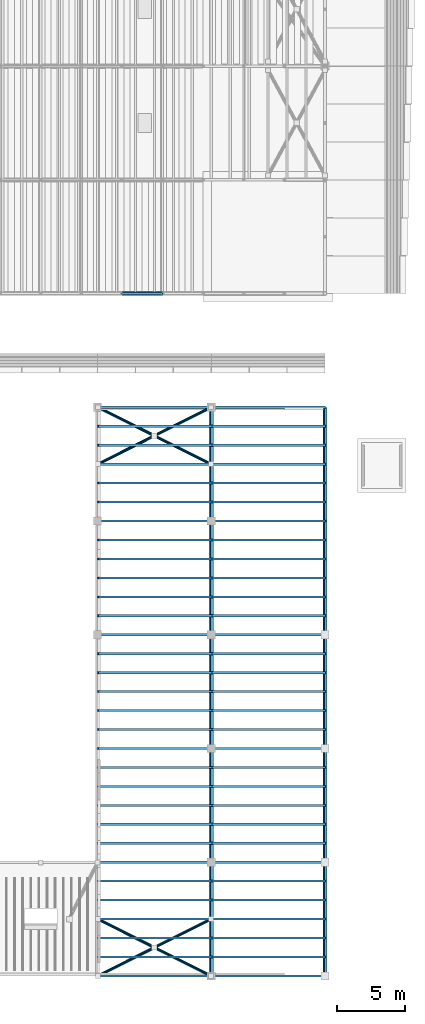
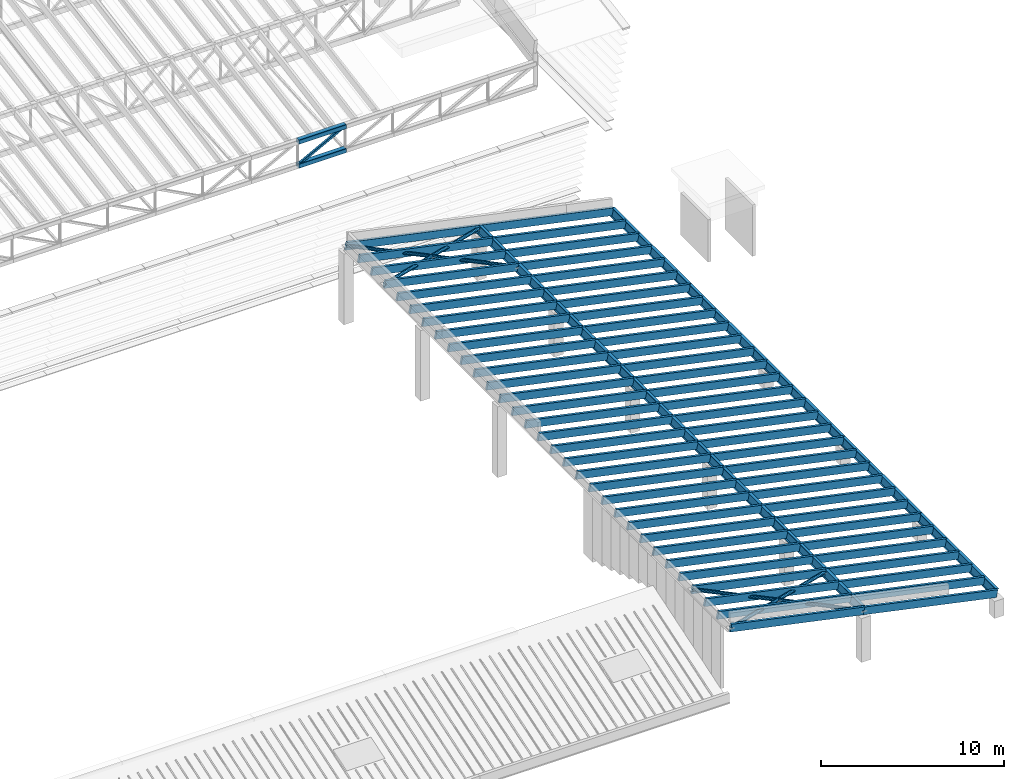
# One storey, part 46 of 91: 71 members, 10 beams.
"""IFC4 building model written with IfcOpenShell, lengths in metres."""

from ifc_helpers import new_model, si_unit, direction, frame, origin, origin_2d, place, context, subcontext, project, spatial, rectangle, hollow_rectangle, hollow_circle, i_section, extrude, material, material_profile, profile_set, type_object, element, save


model = new_model("IFC4")

# Units and contexts
model_context = context("Model", 3, precision=1e-05, world=origin(), true_north=direction((0.0, 1.0)))
body_context = subcontext(model_context, "Body", "Model", "MODEL_VIEW")
ifc_project = project(units=[si_unit("LENGTHUNIT", "METRE"), si_unit("AREAUNIT", "SQUARE_METRE"), si_unit("VOLUMEUNIT", "CUBIC_METRE"), si_unit("PLANEANGLEUNIT", "RADIAN"), si_unit("MASSUNIT", "GRAM", prefix="KILO")], contexts=[model_context])

# Site, building, storey
site_placement = place(None, origin())
site = spatial("IfcSite", under=ifc_project, at=site_placement, CompositionType="ELEMENT")
building_placement = place(site_placement, origin())
building = spatial("IfcBuilding", under=site, at=building_placement, Name="Almond Square Museum", CompositionType="ELEMENT")
storey_placement = place(building_placement, frame((0.0, 0.0, 30.0)))
storey = spatial("IfcBuildingStorey", under=building, at=storey_placement, Name="L05", CompositionType="ELEMENT", Elevation=30.0)

# Members
ifc_material_1 = material(Name="Glulam GL28h", Category="wood")
ifc_material_profile_1 = material_profile(ifc_material_1, rectangle(XDim=0.159912109375, YDim=0.5, at=origin_2d()))
ifc_profile_set_1 = profile_set([ifc_material_profile_1], Name="Glulam GL28h")
member_type_1 = type_object("IfcMemberType", Name="Glulam rafter GL28h 160x500", PredefinedType="RAFTER", material=ifc_profile_set_1)
for number, where, z_axis, x_axis, name in (
    (1, (132.0, 0.0, 4.99853515625), (0.978148878818, 0.0, -0.207905677812), (0.0, 1.0, 0.0), "V5E rafter 1.1"),
    (2, (132.0, 1.39990234375, 4.99853515625), (0.978148878818, 0.0, -0.207905677812), (0.0, 1.0, 0.0), "V5E rafter 1.2"),
    (3, (132.0, 2.800048828125, 4.99853515625), (0.978148878818, 0.0, -0.207905677812), (0.0, 1.0, 0.0), "V5E rafter 1.3"),
    (4, (132.0, 4.199951171875, 4.99853515625), (0.978148878818, 0.0, -0.207905677812), (0.0, 1.0, 0.0), "V5E rafter 1.4"),
    (5, (132.0, 5.60009765625, 4.99853515625), (0.978148878818, 0.0, -0.207905677812), (0.0, 1.0, 0.0), "V5E rafter 1.5"),
    (6, (132.0, 7.0, 4.99853515625), (0.978148878818, 0.0, -0.207905677812), (0.0, 1.0, 0.0), "V5E rafter 1.6"),
    (7, (132.0, 8.39990234375, 4.99853515625), (0.978148878818, 0.0, -0.207905677812), (0.0, 1.0, 0.0), "V5E rafter 1.7"),
    (8, (132.0, 9.800048828125, 4.99853515625), (0.978148878818, 0.0, -0.207905677812), (0.0, 1.0, 0.0), "V5E rafter 1.8"),
    (9, (132.0, 11.199951171875, 4.99853515625), (0.978148878818, 0.0, -0.207905677812), (0.0, 1.0, 0.0), "V5E rafter 1.9"),
    (10, (132.0, 12.60009765625, 4.99853515625), (0.978148878818, 0.0, -0.207905677812), (0.0, 1.0, 0.0), "V5E rafter 1.10"),
    (11, (132.0, 14.0, 4.99853515625), (0.978148878818, 0.0, -0.207905677812), (0.0, 1.0, 0.0), "V5E rafter 1.11"),
    (12, (132.0, 15.39990234375, 4.99853515625), (0.978148878818, 0.0, -0.207905677812), (0.0, 1.0, 0.0), "V5E rafter 1.12"),
    (13, (132.0, 16.800048828125, 4.99853515625), (0.978148878818, 0.0, -0.207905677812), (0.0, 1.0, 0.0), "V5E rafter 1.13"),
    (14, (132.0, 18.199951171875, 4.99853515625), (0.978148878818, 0.0, -0.207905677812), (0.0, 1.0, 0.0), "V5E rafter 1.14"),
    (15, (132.0, 19.60009765625, 4.99853515625), (0.978148878818, 0.0, -0.207905677812), (0.0, 1.0, 0.0), "V5E rafter 1.15"),
    (16, (132.0, 21.0, 4.99853515625), (0.978148878818, 0.0, -0.207905677812), (0.0, 1.0, 0.0), "V5E rafter 1.16"),
    (17, (132.0, 22.39990234375, 4.99853515625), (0.978148878818, 0.0, -0.207905677812), (0.0, 1.0, 0.0), "V5E rafter 1.17"),
    (18, (132.0, 23.800048828125, 4.99853515625), (0.978148878818, 0.0, -0.207905677812), (0.0, 1.0, 0.0), "V5E rafter 1.18"),
    (19, (132.0, 25.199951171875, 4.99853515625), (0.978148878818, 0.0, -0.207905677812), (0.0, 1.0, 0.0), "V5E rafter 1.19"),
    (20, (132.0, 26.60009765625, 4.99853515625), (0.978148878818, 0.0, -0.207905677812), (0.0, 1.0, 0.0), "V5E rafter 1.20"),
    (21, (132.0, 28.0, 4.99853515625), (0.978148878818, 0.0, -0.207905677812), (0.0, 1.0, 0.0), "V5E rafter 1.21"),
    (22, (132.0, 29.39990234375, 4.99853515625), (0.978148878818, 0.0, -0.207905677812), (0.0, 1.0, 0.0), "V5E rafter 1.22"),
    (23, (132.0, 30.800048828125, 4.99853515625), (0.978148878818, 0.0, -0.207905677812), (0.0, 1.0, 0.0), "V5E rafter 1.23"),
    (24, (132.0, 32.199951171875, 4.99853515625), (0.978148878818, 0.0, -0.207905677812), (0.0, 1.0, 0.0), "V5E rafter 1.24"),
    (25, (132.0, 33.60009765625, 4.99853515625), (0.978148878818, 0.0, -0.207905677812), (0.0, 1.0, 0.0), "V5E rafter 1.25"),
    (26, (132.0, 35.0, 4.99853515625), (0.978148878818, 0.0, -0.207905677812), (0.0, 1.0, 0.0), "V5E rafter 1.26"),
    (27, (132.0, 36.39990234375, 4.99853515625), (0.978148878818, 0.0, -0.207905677812), (0.0, 1.0, 0.0), "V5E rafter 1.27"),
    (28, (132.0, 37.800048828125, 4.99853515625), (0.978148878818, 0.0, -0.207905677812), (0.0, 1.0, 0.0), "V5E rafter 1.28"),
    (29, (132.0, 39.199951171875, 4.99853515625), (0.978148878818, 0.0, -0.207905677812), (0.0, 1.0, 0.0), "V5E rafter 1.29"),
    (30, (132.0, 40.60009765625, 4.99853515625), (0.978148878818, 0.0, -0.207905677812), (0.0, 1.0, 0.0), "V5E rafter 1.30"),
    (31, (132.0, 42.0, 4.99853515625), (0.978148878818, 0.0, -0.207905677812), (0.0, 1.0, 0.0), "V5E rafter 1.31"),
):
    element("IfcMember", number, at=place(storey_placement, frame(where, z_axis=z_axis, x_axis=x_axis)), inside=storey, type_object=member_type_1, Name=name, PredefinedType="RAFTER", context=body_context, shape_type="SweptSolid", body=[
        extrude(rectangle(XDim=0.159912109375, YDim=0.5, at=origin_2d()), origin(), (0.0, 0.0, 1.0), 8.587646484375),
    ])
for number, where, z_axis, x_axis, name in (
    (32, (140.39990234375, 0.0, 3.213134765625), (0.97815010763, 0.0, -0.207899896448), (0.0, 1.0, 0.0), "V5E rafter 2.1"),
    (33, (140.39990234375, 1.39990234375, 3.213134765625), (0.97815010763, 0.0, -0.207899896448), (0.0, 1.0, 0.0), "V5E rafter 2.2"),
    (34, (140.39990234375, 2.800048828125, 3.213134765625), (0.97815010763, 0.0, -0.207899896448), (0.0, 1.0, 0.0), "V5E rafter 2.3"),
    (35, (140.39990234375, 4.199951171875, 3.213134765625), (0.97815010763, 0.0, -0.207899896448), (0.0, 1.0, 0.0), "V5E rafter 2.4"),
    (36, (140.39990234375, 5.60009765625, 3.213134765625), (0.97815010763, 0.0, -0.207899896448), (0.0, 1.0, 0.0), "V5E rafter 2.5"),
    (37, (140.39990234375, 7.0, 3.213134765625), (0.97815010763, 0.0, -0.207899896448), (0.0, 1.0, 0.0), "V5E rafter 2.6"),
    (38, (140.39990234375, 8.39990234375, 3.213134765625), (0.97815010763, 0.0, -0.207899896448), (0.0, 1.0, 0.0), "V5E rafter 2.7"),
    (39, (140.39990234375, 9.800048828125, 3.213134765625), (0.97815010763, 0.0, -0.207899896448), (0.0, 1.0, 0.0), "V5E rafter 2.8"),
    (40, (140.39990234375, 11.199951171875, 3.213134765625), (0.97815010763, 0.0, -0.207899896448), (0.0, 1.0, 0.0), "V5E rafter 2.9"),
    (41, (140.39990234375, 12.60009765625, 3.213134765625), (0.97815010763, 0.0, -0.207899896448), (0.0, 1.0, 0.0), "V5E rafter 2.10"),
    (42, (140.39990234375, 14.0, 3.213134765625), (0.97815010763, 0.0, -0.207899896448), (0.0, 1.0, 0.0), "V5E rafter 2.11"),
    (43, (140.39990234375, 15.39990234375, 3.213134765625), (0.97815010763, 0.0, -0.207899896448), (0.0, 1.0, 0.0), "V5E rafter 2.12"),
    (44, (140.39990234375, 16.800048828125, 3.213134765625), (0.97815010763, 0.0, -0.207899896448), (0.0, 1.0, 0.0), "V5E rafter 2.13"),
    (45, (140.39990234375, 18.199951171875, 3.213134765625), (0.97815010763, 0.0, -0.207899896448), (0.0, 1.0, 0.0), "V5E rafter 2.14"),
    (46, (140.39990234375, 19.60009765625, 3.213134765625), (0.97815010763, 0.0, -0.207899896448), (0.0, 1.0, 0.0), "V5E rafter 2.15"),
    (47, (140.39990234375, 21.0, 3.213134765625), (0.97815010763, 0.0, -0.207899896448), (0.0, 1.0, 0.0), "V5E rafter 2.16"),
    (48, (140.39990234375, 22.39990234375, 3.213134765625), (0.97815010763, 0.0, -0.207899896448), (0.0, 1.0, 0.0), "V5E rafter 2.17"),
    (49, (140.39990234375, 23.800048828125, 3.213134765625), (0.97815010763, 0.0, -0.207899896448), (0.0, 1.0, 0.0), "V5E rafter 2.18"),
    (50, (140.39990234375, 25.199951171875, 3.213134765625), (0.97815010763, 0.0, -0.207899896448), (0.0, 1.0, 0.0), "V5E rafter 2.19"),
    (51, (140.39990234375, 26.60009765625, 3.213134765625), (0.97815010763, 0.0, -0.207899896448), (0.0, 1.0, 0.0), "V5E rafter 2.20"),
    (52, (140.39990234375, 28.0, 3.213134765625), (0.97815010763, 0.0, -0.207899896448), (0.0, 1.0, 0.0), "V5E rafter 2.21"),
    (53, (140.39990234375, 29.39990234375, 3.213134765625), (0.97815010763, 0.0, -0.207899896448), (0.0, 1.0, 0.0), "V5E rafter 2.22"),
    (54, (140.39990234375, 30.800048828125, 3.213134765625), (0.97815010763, 0.0, -0.207899896448), (0.0, 1.0, 0.0), "V5E rafter 2.23"),
    (55, (140.39990234375, 32.199951171875, 3.213134765625), (0.97815010763, 0.0, -0.207899896448), (0.0, 1.0, 0.0), "V5E rafter 2.24"),
    (56, (140.39990234375, 33.60009765625, 3.213134765625), (0.97815010763, 0.0, -0.207899896448), (0.0, 1.0, 0.0), "V5E rafter 2.25"),
    (57, (140.39990234375, 35.0, 3.213134765625), (0.97815010763, 0.0, -0.207899896448), (0.0, 1.0, 0.0), "V5E rafter 2.26"),
    (58, (140.39990234375, 36.39990234375, 3.213134765625), (0.97815010763, 0.0, -0.207899896448), (0.0, 1.0, 0.0), "V5E rafter 2.27"),
    (59, (140.39990234375, 37.800048828125, 3.213134765625), (0.97815010763, 0.0, -0.207899896448), (0.0, 1.0, 0.0), "V5E rafter 2.28"),
    (60, (140.39990234375, 39.199951171875, 3.213134765625), (0.97815010763, 0.0, -0.207899896448), (0.0, 1.0, 0.0), "V5E rafter 2.29"),
    (61, (140.39990234375, 40.60009765625, 3.213134765625), (0.97815010763, 0.0, -0.207899896448), (0.0, 1.0, 0.0), "V5E rafter 2.30"),
    (62, (140.39990234375, 42.0, 3.213134765625), (0.97815010763, 0.0, -0.207899896448), (0.0, 1.0, 0.0), "V5E rafter 2.31"),
):
    element("IfcMember", number, at=place(storey_placement, frame(where, z_axis=z_axis, x_axis=x_axis)), inside=storey, type_object=member_type_1, Name=name, PredefinedType="RAFTER", context=body_context, shape_type="SweptSolid", body=[
        extrude(rectangle(XDim=0.159912109375, YDim=0.5, at=origin_2d()), origin(), (0.0, 0.0, 1.0), 8.587890625),
    ])

# Beams
ifc_material_2 = material(Name="Structural steel S355", Category="steel")
ifc_material_profile_2 = material_profile(ifc_material_2, i_section(OverallWidth=0.208984375, OverallDepth=0.532958984375, WebThickness=0.01025390625, FlangeThickness=0.015625, at=origin_2d()))
ifc_profile_set_2 = profile_set([ifc_material_profile_2], Name="Structural steel S355")
beam_type = type_object("IfcBeamType", Name="Roof beam W530x92", PredefinedType="BEAM", material=ifc_profile_set_2)
beam_1_placement = place(storey_placement, frame((140.39990234375, 0.0, 3.1962890625), z_axis=(0.0, 1.0, 0.0), x_axis=(-0.978147600734, 0.0, 0.207911690818)))
element("IfcBeam", 63, at=beam_1_placement, inside=storey, type_object=beam_type, Name="V5E roof beam 2.1", PredefinedType="BEAM", context=body_context, shape_type="SweptSolid", body=[
    extrude(i_section(OverallWidth=0.208984375, OverallDepth=0.532958984375, WebThickness=0.01025390625, FlangeThickness=0.015625, at=origin_2d()), origin(), (0.0, 0.0, 1.0), 8.39990234375),
])
beam_2_placement = place(storey_placement, frame((140.39990234375, 8.39990234375, 3.1962890625), z_axis=(0.0, 1.0, 0.0), x_axis=(-0.978147600734, 0.0, 0.207911690818)))
element("IfcBeam", 64, at=beam_2_placement, inside=storey, type_object=beam_type, Name="V5E roof beam 2.2", PredefinedType="BEAM", context=body_context, shape_type="SweptSolid", body=[
    extrude(i_section(OverallWidth=0.208984375, OverallDepth=0.532958984375, WebThickness=0.01025390625, FlangeThickness=0.015625, at=origin_2d()), origin(), (0.0, 0.0, 1.0), 8.400146484375),
])
beam_3_placement = place(storey_placement, frame((140.39990234375, 16.800048828125, 3.1962890625), z_axis=(0.0, 1.0, 0.0), x_axis=(-0.978147600734, 0.0, 0.207911690818)))
element("IfcBeam", 65, at=beam_3_placement, inside=storey, type_object=beam_type, Name="V5E roof beam 2.3", PredefinedType="BEAM", context=body_context, shape_type="SweptSolid", body=[
    extrude(i_section(OverallWidth=0.208984375, OverallDepth=0.532958984375, WebThickness=0.01025390625, FlangeThickness=0.015625, at=origin_2d()), origin(), (0.0, 0.0, 1.0), 8.39990234375),
])
beam_4_placement = place(storey_placement, frame((140.39990234375, 25.199951171875, 3.1962890625), z_axis=(0.0, 1.0, 0.0), x_axis=(-0.978147600734, 0.0, 0.207911690818)))
element("IfcBeam", 66, at=beam_4_placement, inside=storey, type_object=beam_type, Name="V5E roof beam 2.4", PredefinedType="BEAM", context=body_context, shape_type="SweptSolid", body=[
    extrude(i_section(OverallWidth=0.208984375, OverallDepth=0.532958984375, WebThickness=0.01025390625, FlangeThickness=0.015625, at=origin_2d()), origin(), (0.0, 0.0, 1.0), 8.400146484375),
])
for number, where, z_axis, x_axis, name in (
    (67, (140.39990234375, 33.60009765625, 3.1962890625), (0.0, 1.0, 0.0), (-0.978147600734, 0.0, 0.207911690818), "V5E roof beam 2.5"),
    (68, (148.800048828125, 0.0, 1.410888671875), (0.0, 1.0, 0.0), (-0.978147600734, 0.0, 0.207911690818), "V5E roof beam 3.1"),
):
    element("IfcBeam", number, at=place(storey_placement, frame(where, z_axis=z_axis, x_axis=x_axis)), inside=storey, type_object=beam_type, Name=name, PredefinedType="BEAM", context=body_context, shape_type="SweptSolid", body=[
        extrude(i_section(OverallWidth=0.208984375, OverallDepth=0.532958984375, WebThickness=0.01025390625, FlangeThickness=0.015625, at=origin_2d()), origin(), (0.0, 0.0, 1.0), 8.39990234375),
    ])
beam_5_placement = place(storey_placement, frame((148.800048828125, 8.39990234375, 1.410888671875), z_axis=(0.0, 1.0, 0.0), x_axis=(-0.978147600734, 0.0, 0.207911690818)))
element("IfcBeam", 69, at=beam_5_placement, inside=storey, type_object=beam_type, Name="V5E roof beam 3.2", PredefinedType="BEAM", context=body_context, shape_type="SweptSolid", body=[
    extrude(i_section(OverallWidth=0.208984375, OverallDepth=0.532958984375, WebThickness=0.01025390625, FlangeThickness=0.015625, at=origin_2d()), origin(), (0.0, 0.0, 1.0), 8.400146484375),
])
beam_6_placement = place(storey_placement, frame((148.800048828125, 16.800048828125, 1.410888671875), z_axis=(0.0, 1.0, 0.0), x_axis=(-0.978147600734, 0.0, 0.207911690818)))
element("IfcBeam", 70, at=beam_6_placement, inside=storey, type_object=beam_type, Name="V5E roof beam 3.3", PredefinedType="BEAM", context=body_context, shape_type="SweptSolid", body=[
    extrude(i_section(OverallWidth=0.208984375, OverallDepth=0.532958984375, WebThickness=0.01025390625, FlangeThickness=0.015625, at=origin_2d()), origin(), (0.0, 0.0, 1.0), 8.39990234375),
])
beam_7_placement = place(storey_placement, frame((148.800048828125, 25.199951171875, 1.410888671875), z_axis=(0.0, 1.0, 0.0), x_axis=(-0.978147600734, 0.0, 0.207911690818)))
element("IfcBeam", 71, at=beam_7_placement, inside=storey, type_object=beam_type, Name="V5E roof beam 3.4", PredefinedType="BEAM", context=body_context, shape_type="SweptSolid", body=[
    extrude(i_section(OverallWidth=0.208984375, OverallDepth=0.532958984375, WebThickness=0.01025390625, FlangeThickness=0.015625, at=origin_2d()), origin(), (0.0, 0.0, 1.0), 8.400146484375),
])
beam_8_placement = place(storey_placement, frame((148.800048828125, 33.60009765625, 1.410888671875), z_axis=(0.0, 1.0, 0.0), x_axis=(-0.978147600734, 0.0, 0.207911690818)))
element("IfcBeam", 72, at=beam_8_placement, inside=storey, type_object=beam_type, Name="V5E roof beam 3.5", PredefinedType="BEAM", context=body_context, shape_type="SweptSolid", body=[
    extrude(i_section(OverallWidth=0.208984375, OverallDepth=0.532958984375, WebThickness=0.01025390625, FlangeThickness=0.015625, at=origin_2d()), origin(), (0.0, 0.0, 1.0), 8.39990234375),
])

# Members
ifc_material_3 = material(Name="Structural steel S355", Category="steel")
ifc_material_profile_3 = material_profile(ifc_material_3, hollow_circle(Radius=0.109619140625, WallThickness=0.010009765625, at=origin_2d()))
ifc_profile_set_3 = profile_set([ifc_material_profile_3], Name="Structural steel S355")
member_type_2 = type_object("IfcMemberType", Name="Roof brace CHS 219.1x10", PredefinedType="BRACE", material=ifc_profile_set_3)
member_1_placement = place(storey_placement, frame((132.02001953125, 0.0, 4.994384765625), z_axis=(0.877872566509, 0.44103854219, -0.186613936441), x_axis=(-0.448924655564, 0.893569613196, 0.0)))
element("IfcMember", 73, at=member_1_placement, inside=storey, type_object=member_type_2, Name="V5E roof plane brace", PredefinedType="BRACE", context=body_context, shape_type="SweptSolid", body=[
    extrude(hollow_circle(Radius=0.109619140625, WallThickness=0.010009765625, at=origin_2d()), origin(), (0.0, 0.0, 1.0), 9.52294921875),
])
member_2_placement = place(storey_placement, frame((132.02001953125, 4.199951171875, 4.994384765625), z_axis=(0.877886692399, -0.441020001246, -0.186591301538), x_axis=(0.448903818636, 0.893580081254, 0.0)))
element("IfcMember", 74, at=member_2_placement, inside=storey, type_object=member_type_2, Name="V5E roof plane brace", PredefinedType="BRACE", context=body_context, shape_type="SweptSolid", body=[
    extrude(hollow_circle(Radius=0.109619140625, WallThickness=0.010009765625, at=origin_2d()), origin(), (0.0, 0.0, 1.0), 4.761474609375),
])
member_3_placement = place(storey_placement, frame((132.02001953125, 42.0, 4.994384765625), z_axis=(0.877872566509, -0.44103854219, -0.186613936441), x_axis=(0.448924655564, 0.893569613196, 0.0)))
element("IfcMember", 75, at=member_3_placement, inside=storey, type_object=member_type_2, Name="V5E roof plane brace", PredefinedType="BRACE", context=body_context, shape_type="SweptSolid", body=[
    extrude(hollow_circle(Radius=0.109619140625, WallThickness=0.010009765625, at=origin_2d()), origin(), (0.0, 0.0, 1.0), 9.52294921875),
])
for number, where, z_axis, x_axis, name in (
    (76, (132.02001953125, 37.800048828125, 4.994384765625), (0.877886692399, 0.441020001246, -0.186591301538), (-0.448903818636, 0.893580081254, 0.0), "V5E roof plane brace"),
    (77, (136.199951171875, 2.10009765625, 4.10595703125), (0.877858440147, -0.441057082071, -0.186636570418), (0.448945491759, 0.893559144897, 0.0), "V5E roof plane brace"),
    (78, (136.199951171875, 39.89990234375, 4.10595703125), (0.877858440147, 0.441057082071, -0.186636570418), (-0.448945491759, 0.893559144897, 0.0), "V5E roof plane brace"),
):
    element("IfcMember", number, at=place(storey_placement, frame(where, z_axis=z_axis, x_axis=x_axis)), inside=storey, type_object=member_type_2, Name=name, PredefinedType="BRACE", context=body_context, shape_type="SweptSolid", body=[
        extrude(hollow_circle(Radius=0.109619140625, WallThickness=0.010009765625, at=origin_2d()), origin(), (0.0, 0.0, 1.0), 4.761474609375),
    ])
ifc_material_4 = material(Name="Structural steel S355", Category="steel")
ifc_material_profile_4 = material_profile(ifc_material_4, hollow_rectangle(XDim=0.300048828125, YDim=0.300048828125, WallThickness=0.012451171875, InnerFilletRadius=0.02490234375, OuterFilletRadius=0.03759765625, at=origin_2d()))
ifc_profile_set_4 = profile_set([ifc_material_profile_4], Name="Structural steel S355")
member_type_3 = type_object("IfcMemberType", Name="Truss chord SHS 300x300x12.5", PredefinedType="CHORD", material=ifc_profile_set_4)
for number, where, z_axis, x_axis, name in (
    (79, (133.800048828125, 50.39990234375, 6.24853515625), (1.0, 0.0, 0.0), (0.0, 1.0, 0.0), "TR-01 top chord 10"),
    (80, (133.800048828125, 50.39990234375, 4.64990234375), (1.0, 0.0, 0.0), (0.0, 1.0, 0.0), "TR-01 bottom chord 10"),
):
    element("IfcMember", number, at=place(storey_placement, frame(where, z_axis=z_axis, x_axis=x_axis)), inside=storey, type_object=member_type_3, Name=name, PredefinedType="CHORD", context=body_context, shape_type="SweptSolid", body=[
        extrude(hollow_rectangle(XDim=0.300048828125, YDim=0.300048828125, WallThickness=0.012451171875, InnerFilletRadius=0.02490234375, OuterFilletRadius=0.03759765625, at=origin_2d()), origin(), (0.0, 0.0, 1.0), 3.0),
    ])
ifc_material_5 = material(Name="Structural steel S355", Category="steel")
ifc_material_profile_5 = material_profile(ifc_material_5, hollow_rectangle(XDim=0.14990234375, YDim=0.14990234375, WallThickness=0.008056640625, InnerFilletRadius=0.011962890625, OuterFilletRadius=0.02001953125, at=origin_2d()))
ifc_profile_set_5 = profile_set([ifc_material_profile_5], Name="Structural steel S355")
member_type_4 = type_object("IfcMemberType", Name="Truss diagonal SHS 150x150x8", PredefinedType="BRACE", material=ifc_profile_set_5)
member_4_placement = place(storey_placement, frame((133.800048828125, 50.39990234375, 4.64990234375), z_axis=(0.882519884946, 0.0, 0.47027508192), x_axis=(0.0, 1.0, 0.0)))
element("IfcMember", 81, at=member_4_placement, inside=storey, type_object=member_type_4, Name="TR-01 diagonal 10", PredefinedType="BRACE", context=body_context, shape_type="SweptSolid", body=[
    extrude(hollow_rectangle(XDim=0.14990234375, YDim=0.14990234375, WallThickness=0.008056640625, InnerFilletRadius=0.011962890625, OuterFilletRadius=0.02001953125, at=origin_2d()), origin(), (0.0, 0.0, 1.0), 3.3994140625),
])

save(model, "model.ifc")
